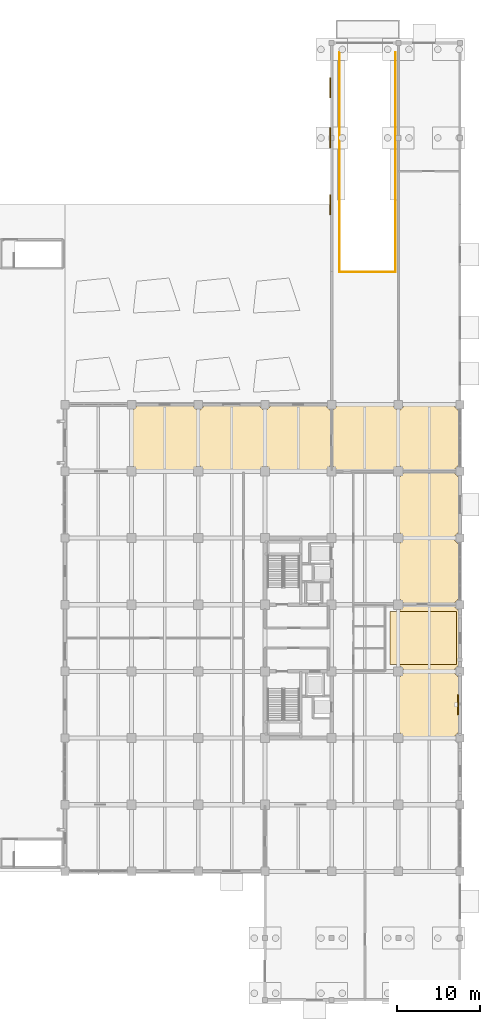
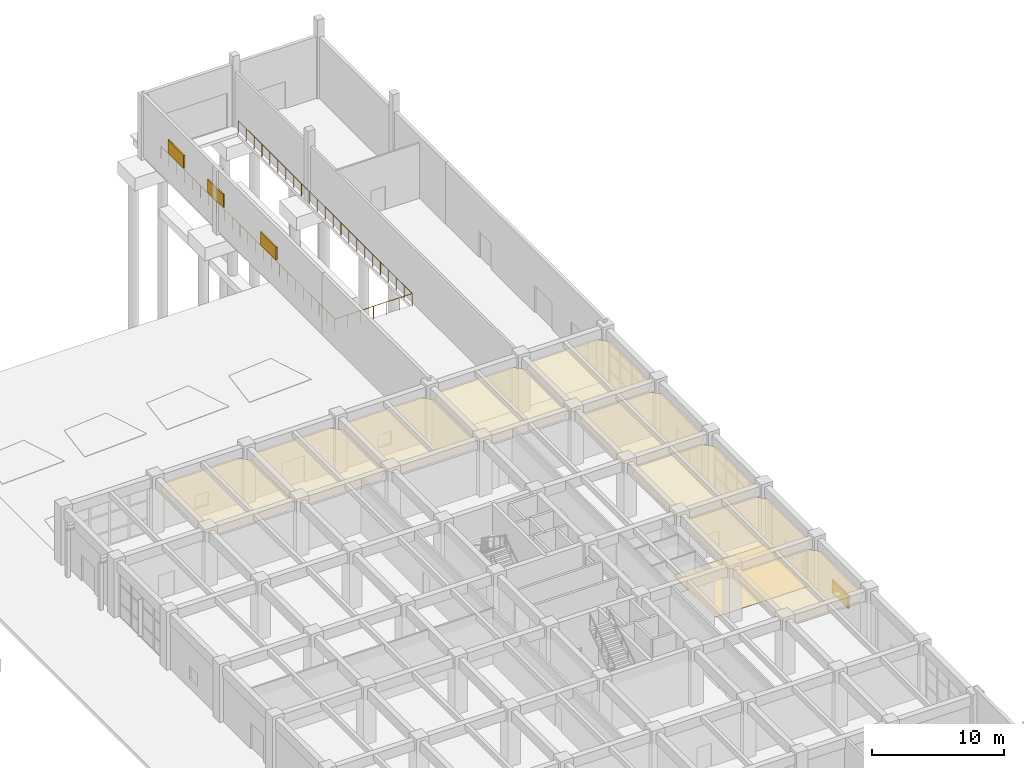
# One storey, part 89 of 90: 10 coverings, 4 shading devices, 1 railing.
"""IFC4 building model written with IfcOpenShell, lengths in metres."""

from ifc_helpers import new_model, si_unit, direction, frame, origin, origin_2d, place, context, subcontext, project, spatial, polyline, rectangle, circle, outline, extrude, material, layer, layer_set, type_object, element, save


model = new_model("IFC4")

# Units and contexts
model_context = context("Model", 3, precision=1e-05, world=origin(), true_north=direction((0.0, 1.0)))
body_context = subcontext(model_context, "Body", "Model", "MODEL_VIEW")
ifc_project = project(units=[si_unit("LENGTHUNIT", "METRE"), si_unit("AREAUNIT", "SQUARE_METRE"), si_unit("VOLUMEUNIT", "CUBIC_METRE"), si_unit("PLANEANGLEUNIT", "RADIAN"), si_unit("MASSUNIT", "GRAM", prefix="KILO")], contexts=[model_context])

# Site, building, storey
site_placement = place(None, origin())
site = spatial("IfcSite", under=ifc_project, at=site_placement, CompositionType="ELEMENT")
building_placement = place(site_placement, origin())
building = spatial("IfcBuilding", under=site, at=building_placement, Name="Canggui Botanical Conservatory", CompositionType="ELEMENT")
storey_placement = place(building_placement, origin())
storey = spatial("IfcBuildingStorey", under=building, at=storey_placement, Name="L01", CompositionType="ELEMENT", Elevation=0.0)

# Coverings
ifc_material_1 = material(Name="Mineral Fibre Acoustic Board")
ifc_layer_1 = layer(ifc_material_1, 0.014892578125, Name="Mineral Fibre Acoustic Board")
ifc_layer_set_1 = layer_set([ifc_layer_1], Name="Mineral Fibre Acoustic Board")
covering_type_1 = type_object("IfcCoveringType", Name="COV-CEIL-15", PredefinedType="CEILING", material=ifc_layer_set_1)
covering_1_placement = place(storey_placement, frame((0.0, 0.0, 4.155029296875)))
element("IfcCovering", 1, at=covering_1_placement, inside=storey, type_object=covering_type_1, Name="Suspended Acoustic Ceiling L01-146-74", PredefinedType="CEILING", context=body_context, shape_type="SweptSolid", body=[
    extrude(outline(polyline([(146.85009765625, 74.0), (153.14990234375, 74.0), (154.0, 74.85009765625), (154.0, 81.14990234375), (153.14990234375, 82.0), (146.85009765625, 82.0), (146.0, 81.14990234375), (146.0, 74.85009765625), (146.85009765625, 74.0)])), origin(), (0.0, 0.0, 1.0), 0.014892578125),
])
covering_2_placement = place(storey_placement, frame((0.0, 0.0, 4.155029296875)))
element("IfcCovering", 2, at=covering_2_placement, inside=storey, type_object=covering_type_1, Name="Suspended Acoustic Ceiling L01-162-74", PredefinedType="CEILING", context=body_context, shape_type="SweptSolid", body=[
    extrude(outline(polyline([(162.85009765625, 74.0), (169.14990234375, 74.0), (170.0, 74.85009765625), (170.0, 81.14990234375), (169.14990234375, 82.0), (162.85009765625, 82.0), (162.0, 81.14990234375), (162.0, 74.85009765625), (162.85009765625, 74.0)])), origin(), (0.0, 0.0, 1.0), 0.014892578125),
])
covering_3_placement = place(storey_placement, frame((0.0, 0.0, 4.155029296875)))
element("IfcCovering", 3, at=covering_3_placement, inside=storey, type_object=covering_type_1, Name="Suspended Acoustic Ceiling L01-170-50", PredefinedType="CEILING", context=body_context, shape_type="SweptSolid", body=[
    extrude(outline(polyline([(170.85009765625, 50.0), (176.5, 50.0), (177.35009765625, 50.85009765625), (177.35009765625, 57.14990234375), (176.5, 58.0), (170.85009765625, 58.0), (170.0, 57.14990234375), (170.0, 50.85009765625), (170.85009765625, 50.0)])), origin(), (0.0, 0.0, 1.0), 0.014892578125),
])
covering_4_placement = place(storey_placement, frame((0.0, 0.0, 4.155029296875)))
element("IfcCovering", 4, at=covering_4_placement, inside=storey, type_object=covering_type_1, Name="Suspended Acoustic Ceiling L01-170-66", PredefinedType="CEILING", context=body_context, shape_type="SweptSolid", body=[
    extrude(outline(polyline([(170.85009765625, 66.0), (176.5, 66.0), (177.35009765625, 66.85009765625), (177.35009765625, 73.14990234375), (176.5, 74.0), (170.85009765625, 74.0), (170.0, 73.14990234375), (170.0, 66.85009765625), (170.85009765625, 66.0)])), origin(), (0.0, 0.0, 1.0), 0.014892578125),
])
ifc_material_2 = material(Name="Perforated Gypsum Acoustic Panel")
ifc_layer_2 = layer(ifc_material_2, 0.02001953125, Name="Perforated Gypsum Acoustic Panel")
ifc_layer_set_2 = layer_set([ifc_layer_2], Name="Perforated Gypsum Acoustic Panel")
covering_type_2 = type_object("IfcCoveringType", Name="COV-CEIL-20", PredefinedType="CEILING", material=ifc_layer_set_2)
covering_5_placement = place(storey_placement, frame((0.0, 0.0, 4.14990234375)))
element("IfcCovering", 5, at=covering_5_placement, inside=storey, type_object=covering_type_2, Name="Suspended Acoustic Ceiling L01-138-74", PredefinedType="CEILING", context=body_context, shape_type="SweptSolid", body=[
    extrude(outline(polyline([(138.85009765625, 74.0), (145.14990234375, 74.0), (146.0, 74.85009765625), (146.0, 81.14990234375), (145.14990234375, 82.0), (138.85009765625, 82.0), (138.0, 81.14990234375), (138.0, 74.85009765625), (138.85009765625, 74.0)])), origin(), (0.0, 0.0, 1.0), 0.02001953125),
])
covering_6_placement = place(storey_placement, frame((0.0, 0.0, 4.14990234375)))
element("IfcCovering", 6, at=covering_6_placement, inside=storey, type_object=covering_type_2, Name="Suspended Acoustic Ceiling L01-154-74", PredefinedType="CEILING", context=body_context, shape_type="SweptSolid", body=[
    extrude(outline(polyline([(154.85009765625, 74.0), (161.14990234375, 74.0), (162.0, 74.85009765625), (162.0, 81.14990234375), (161.14990234375, 82.0), (154.85009765625, 82.0), (154.0, 81.14990234375), (154.0, 74.85009765625), (154.85009765625, 74.0)])), origin(), (0.0, 0.0, 1.0), 0.02001953125),
])
covering_7_placement = place(storey_placement, frame((0.0, 0.0, 4.14990234375)))
element("IfcCovering", 7, at=covering_7_placement, inside=storey, type_object=covering_type_2, Name="Suspended Acoustic Ceiling L01-170-42", PredefinedType="CEILING", context=body_context, shape_type="SweptSolid", body=[
    extrude(outline(polyline([(170.85009765625, 42.0), (176.5, 42.0), (177.35009765625, 42.85009765625), (177.35009765625, 49.14990234375), (176.5, 50.0), (170.85009765625, 50.0), (170.0, 49.14990234375), (170.0, 42.85009765625), (170.85009765625, 42.0)])), origin(), (0.0, 0.0, 1.0), 0.02001953125),
])
covering_8_placement = place(storey_placement, frame((0.0, 0.0, 4.14990234375)))
element("IfcCovering", 8, at=covering_8_placement, inside=storey, type_object=covering_type_2, Name="Suspended Acoustic Ceiling L01-170-58", PredefinedType="CEILING", context=body_context, shape_type="SweptSolid", body=[
    extrude(outline(polyline([(170.85009765625, 58.0), (176.5, 58.0), (177.35009765625, 58.85009765625), (177.35009765625, 65.14990234375), (176.5, 66.0), (170.85009765625, 66.0), (170.0, 65.14990234375), (170.0, 58.85009765625), (170.85009765625, 58.0)])), origin(), (0.0, 0.0, 1.0), 0.02001953125),
])
covering_9_placement = place(storey_placement, frame((0.0, 0.0, 4.14990234375)))
element("IfcCovering", 9, at=covering_9_placement, inside=storey, type_object=covering_type_2, Name="Suspended Acoustic Ceiling L01-170-74", PredefinedType="CEILING", context=body_context, shape_type="SweptSolid", body=[
    extrude(outline(polyline([(170.85009765625, 74.0), (176.5, 74.0), (177.35009765625, 74.85009765625), (177.35009765625, 81.14990234375), (176.5, 82.0), (170.85009765625, 82.0), (170.0, 81.14990234375), (170.0, 74.85009765625), (170.85009765625, 74.0)])), origin(), (0.0, 0.0, 1.0), 0.02001953125),
])
ifc_material_3 = material(Name="Honed Granite Stone Tile", Category="masonry")
ifc_layer_3 = layer(ifc_material_3, 0.02001953125, Name="Honed Granite Stone Tile", Category="masonry")
ifc_layer_set_3 = layer_set([ifc_layer_3], Name="Honed Granite Stone Tile")
covering_type_3 = type_object("IfcCoveringType", Name="COV-FLR-20", PredefinedType="FLOORING", material=ifc_layer_set_3)
covering_10_placement = place(storey_placement, origin())
element("IfcCovering", 10, at=covering_10_placement, inside=storey, type_object=covering_type_3, Name="Laboratory Finish Flooring L01", PredefinedType="FLOORING", context=body_context, shape_type="SweptSolid", body=[
    extrude(outline(polyline([(169.0, 50.800048828125), (177.0, 50.800048828125), (177.0, 57.199951171875), (169.0, 57.199951171875), (169.0, 50.800048828125)])), origin(), (0.0, 0.0, 1.0), 0.02001953125),
])

# Railing
ifc_material_4 = material(Name="Laminated Safety Glass", Category="glass")
railing_type = type_object("IfcRailingType", Name="RAIL-VOID-1150", PredefinedType="BALUSTRADE", material=ifc_material_4)
railing_placement = place(storey_placement, frame((162.919921875, 124.25, 0.0)))
element("IfcRailing", 11, at=railing_placement, inside=storey, type_object=railing_type, Name="Vehicle Ramp VR-01 L01 Well Guard", PredefinedType="BALUSTRADE", context=body_context, shape_type="SweptSolid", body=[
    extrude(circle(Radius=0.02392578125, at=origin_2d()), frame((0.0, 0.0, 1.1259765625), z_axis=(0.0, -1.0, 0.0), x_axis=(1.0, 0.0, 0.0)), (0.0, 0.0, 1.0), 26.330078125),
    extrude(circle(Radius=0.02392578125, at=origin_2d()), frame((0.0, -26.330078125, 1.1259765625), z_axis=(1.0, 0.0, 0.0), x_axis=(0.0, 1.0, 0.0)), (0.0, 0.0, 1.0), 6.760009765625),
    extrude(circle(Radius=0.02392578125, at=origin_2d()), frame((6.760009765625, -26.330078125, 1.1259765625), z_axis=(0.0, 1.0, 0.0), x_axis=(-1.0, 0.0, 0.0)), (0.0, 0.0, 1.0), 26.330078125),
    extrude(circle(Radius=0.02099609375, at=origin_2d()), origin(), (0.0, 0.0, 1.0), 1.101806640625),
    extrude(circle(Radius=0.02099609375, at=origin_2d()), frame((0.0, -1.19677734375, 0.0)), (0.0, 0.0, 1.0), 1.101806640625),
    extrude(circle(Radius=0.02099609375, at=origin_2d()), frame((0.0, -2.3935546875, 0.0)), (0.0, 0.0, 1.0), 1.101806640625),
    extrude(circle(Radius=0.02099609375, at=origin_2d()), frame((0.0, -3.590576171875, 0.0)), (0.0, 0.0, 1.0), 1.101806640625),
    extrude(circle(Radius=0.02099609375, at=origin_2d()), frame((0.0, -4.787353515625, 0.0)), (0.0, 0.0, 1.0), 1.101806640625),
    extrude(circle(Radius=0.02099609375, at=origin_2d()), frame((0.0, -5.984130859375, 0.0)), (0.0, 0.0, 1.0), 1.101806640625),
    extrude(circle(Radius=0.02099609375, at=origin_2d()), frame((0.0, -7.180908203125, 0.0)), (0.0, 0.0, 1.0), 1.101806640625),
    extrude(circle(Radius=0.02099609375, at=origin_2d()), frame((0.0, -8.377685546875, 0.0)), (0.0, 0.0, 1.0), 1.101806640625),
    extrude(circle(Radius=0.02099609375, at=origin_2d()), frame((0.0, -9.574462890625, 0.0)), (0.0, 0.0, 1.0), 1.101806640625),
    extrude(circle(Radius=0.02099609375, at=origin_2d()), frame((0.0, -10.771484375, 0.0)), (0.0, 0.0, 1.0), 1.101806640625),
    extrude(circle(Radius=0.02099609375, at=origin_2d()), frame((0.0, -11.96826171875, 0.0)), (0.0, 0.0, 1.0), 1.101806640625),
    extrude(circle(Radius=0.02099609375, at=origin_2d()), frame((0.0, -13.1650390625, 0.0)), (0.0, 0.0, 1.0), 1.101806640625),
    extrude(circle(Radius=0.02099609375, at=origin_2d()), frame((0.0, -14.36181640625, 0.0)), (0.0, 0.0, 1.0), 1.101806640625),
    extrude(circle(Radius=0.02099609375, at=origin_2d()), frame((0.0, -15.55859375, 0.0)), (0.0, 0.0, 1.0), 1.101806640625),
    extrude(circle(Radius=0.02099609375, at=origin_2d()), frame((0.0, -16.755615234375, 0.0)), (0.0, 0.0, 1.0), 1.101806640625),
    extrude(circle(Radius=0.02099609375, at=origin_2d()), frame((0.0, -17.952392578125, 0.0)), (0.0, 0.0, 1.0), 1.101806640625),
    extrude(circle(Radius=0.02099609375, at=origin_2d()), frame((0.0, -19.149169921875, 0.0)), (0.0, 0.0, 1.0), 1.101806640625),
    extrude(circle(Radius=0.02099609375, at=origin_2d()), frame((0.0, -20.345947265625, 0.0)), (0.0, 0.0, 1.0), 1.101806640625),
    extrude(circle(Radius=0.02099609375, at=origin_2d()), frame((0.0, -21.542724609375, 0.0)), (0.0, 0.0, 1.0), 1.101806640625),
    extrude(circle(Radius=0.02099609375, at=origin_2d()), frame((0.0, -22.739501953125, 0.0)), (0.0, 0.0, 1.0), 1.101806640625),
    extrude(circle(Radius=0.02099609375, at=origin_2d()), frame((0.0, -23.9365234375, 0.0)), (0.0, 0.0, 1.0), 1.101806640625),
    extrude(circle(Radius=0.02099609375, at=origin_2d()), frame((0.0, -25.13330078125, 0.0)), (0.0, 0.0, 1.0), 1.101806640625),
    extrude(circle(Radius=0.02099609375, at=origin_2d()), frame((0.0, -26.330078125, 0.0)), (0.0, 0.0, 1.0), 1.101806640625),
    extrude(circle(Radius=0.02099609375, at=origin_2d()), frame((1.126708984375, -26.330078125, 0.0)), (0.0, 0.0, 1.0), 1.101806640625),
    extrude(circle(Radius=0.02099609375, at=origin_2d()), frame((2.25341796875, -26.330078125, 0.0)), (0.0, 0.0, 1.0), 1.101806640625),
    extrude(circle(Radius=0.02099609375, at=origin_2d()), frame((3.3798828125, -26.330078125, 0.0)), (0.0, 0.0, 1.0), 1.101806640625),
    extrude(circle(Radius=0.02099609375, at=origin_2d()), frame((4.506591796875, -26.330078125, 0.0)), (0.0, 0.0, 1.0), 1.101806640625),
    extrude(circle(Radius=0.02099609375, at=origin_2d()), frame((5.63330078125, -26.330078125, 0.0)), (0.0, 0.0, 1.0), 1.101806640625),
    extrude(circle(Radius=0.02099609375, at=origin_2d()), frame((6.760009765625, -26.330078125, 0.0)), (0.0, 0.0, 1.0), 1.101806640625),
    extrude(circle(Radius=0.02099609375, at=origin_2d()), frame((6.760009765625, -25.13330078125, 0.0)), (0.0, 0.0, 1.0), 1.101806640625),
    extrude(circle(Radius=0.02099609375, at=origin_2d()), frame((6.760009765625, -23.9365234375, 0.0)), (0.0, 0.0, 1.0), 1.101806640625),
    extrude(circle(Radius=0.02099609375, at=origin_2d()), frame((6.760009765625, -22.739501953125, 0.0)), (0.0, 0.0, 1.0), 1.101806640625),
    extrude(circle(Radius=0.02099609375, at=origin_2d()), frame((6.760009765625, -21.542724609375, 0.0)), (0.0, 0.0, 1.0), 1.101806640625),
    extrude(circle(Radius=0.02099609375, at=origin_2d()), frame((6.760009765625, -20.345947265625, 0.0)), (0.0, 0.0, 1.0), 1.101806640625),
    extrude(circle(Radius=0.02099609375, at=origin_2d()), frame((6.760009765625, -19.149169921875, 0.0)), (0.0, 0.0, 1.0), 1.101806640625),
    extrude(circle(Radius=0.02099609375, at=origin_2d()), frame((6.760009765625, -17.952392578125, 0.0)), (0.0, 0.0, 1.0), 1.101806640625),
    extrude(circle(Radius=0.02099609375, at=origin_2d()), frame((6.760009765625, -16.755615234375, 0.0)), (0.0, 0.0, 1.0), 1.101806640625),
    extrude(circle(Radius=0.02099609375, at=origin_2d()), frame((6.760009765625, -15.55859375, 0.0)), (0.0, 0.0, 1.0), 1.101806640625),
    extrude(circle(Radius=0.02099609375, at=origin_2d()), frame((6.760009765625, -14.36181640625, 0.0)), (0.0, 0.0, 1.0), 1.101806640625),
    extrude(circle(Radius=0.02099609375, at=origin_2d()), frame((6.760009765625, -13.1650390625, 0.0)), (0.0, 0.0, 1.0), 1.101806640625),
    extrude(circle(Radius=0.02099609375, at=origin_2d()), frame((6.760009765625, -11.96826171875, 0.0)), (0.0, 0.0, 1.0), 1.101806640625),
    extrude(circle(Radius=0.02099609375, at=origin_2d()), frame((6.760009765625, -10.771484375, 0.0)), (0.0, 0.0, 1.0), 1.101806640625),
    extrude(circle(Radius=0.02099609375, at=origin_2d()), frame((6.760009765625, -9.574462890625, 0.0)), (0.0, 0.0, 1.0), 1.101806640625),
    extrude(circle(Radius=0.02099609375, at=origin_2d()), frame((6.760009765625, -8.377685546875, 0.0)), (0.0, 0.0, 1.0), 1.101806640625),
    extrude(circle(Radius=0.02099609375, at=origin_2d()), frame((6.760009765625, -7.180908203125, 0.0)), (0.0, 0.0, 1.0), 1.101806640625),
    extrude(circle(Radius=0.02099609375, at=origin_2d()), frame((6.760009765625, -5.984130859375, 0.0)), (0.0, 0.0, 1.0), 1.101806640625),
    extrude(circle(Radius=0.02099609375, at=origin_2d()), frame((6.760009765625, -4.787353515625, 0.0)), (0.0, 0.0, 1.0), 1.101806640625),
    extrude(circle(Radius=0.02099609375, at=origin_2d()), frame((6.760009765625, -3.590576171875, 0.0)), (0.0, 0.0, 1.0), 1.101806640625),
    extrude(circle(Radius=0.02099609375, at=origin_2d()), frame((6.760009765625, -2.3935546875, 0.0)), (0.0, 0.0, 1.0), 1.101806640625),
    extrude(circle(Radius=0.02099609375, at=origin_2d()), frame((6.760009765625, -1.19677734375, 0.0)), (0.0, 0.0, 1.0), 1.101806640625),
    extrude(circle(Radius=0.02099609375, at=origin_2d()), frame((6.760009765625, 0.0, 0.0)), (0.0, 0.0, 1.0), 1.101806640625),
])

# Shading devices
ifc_material_5 = material(Name="Anodised Aluminium", Category="aluminium")
shading_device_type = type_object("IfcShadingDeviceType", Name="SHD-LOUV01", PredefinedType="JALOUSIE", material=ifc_material_5)
for number, where, z_axis, x_axis, name in (
    (12, (177.18994140625, 46.0, 1.60009765625), (0.0, 0.0, 1.0), (0.0, 1.0, 0.0), "Acoustic Intake Louvre L01-19"),
    (13, (161.820068359375, 106.0, 2.7998046875), (0.0, 0.0, 1.0), (0.0, 1.0, 0.0), "Ramp Smoke Relief Louvre Y106"),
    (14, (161.820068359375, 114.0, 2.7998046875), (0.0, 0.0, 1.0), (0.0, 1.0, 0.0), "Ramp Smoke Relief Louvre Y114"),
    (15, (161.820068359375, 120.0, 2.7998046875), (0.0, 0.0, 1.0), (0.0, 1.0, 0.0), "Ramp Smoke Relief Louvre Y120"),
):
    element("IfcShadingDevice", number, at=place(storey_placement, frame(where, z_axis=z_axis, x_axis=x_axis)), inside=storey, type_object=shading_device_type, Name=name, PredefinedType="JALOUSIE", context=body_context, shape_type="SweptSolid", body=[
        extrude(rectangle(XDim=2.39990234375, YDim=0.1201171875, at=origin_2d()), origin(), (0.0, 0.0, 1.0), 1.199951171875),
    ])

save(model, "model.ifc")
